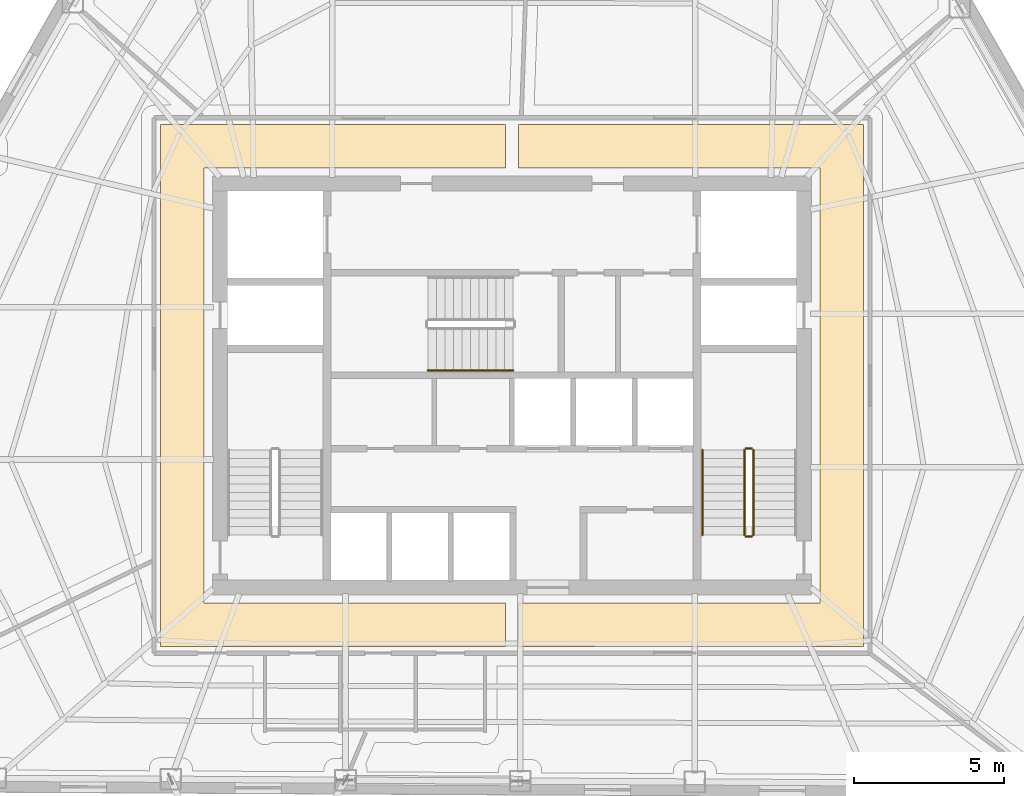
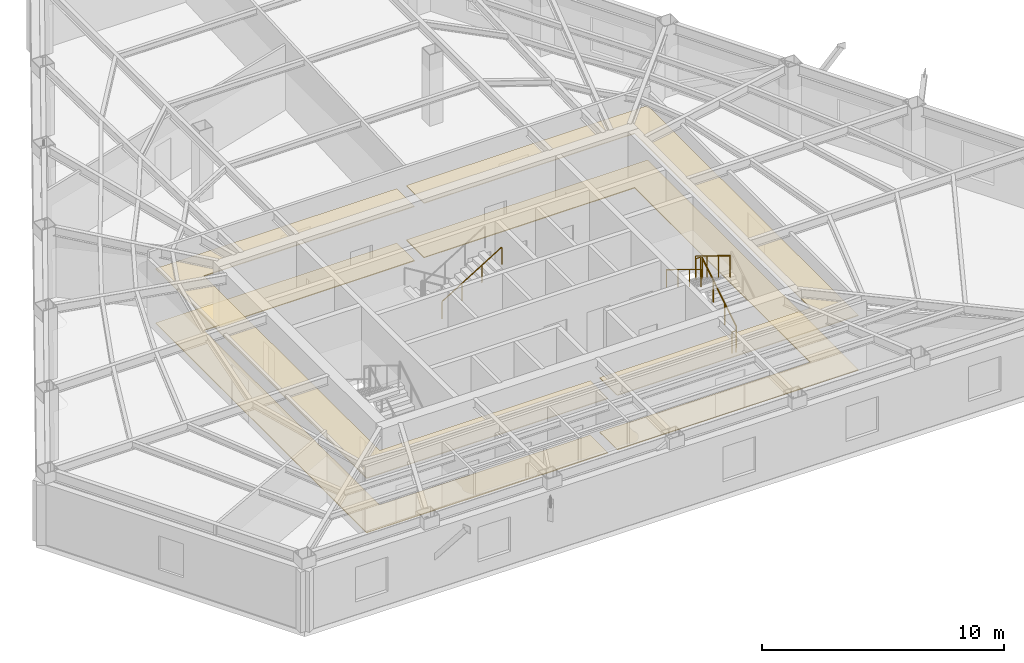
# One storey, part 11 of 13: 6 railings, 4 coverings.
"""IFC4 building model written with IfcOpenShell, lengths in metres."""

from ifc_helpers import new_model, si_unit, direction, frame, origin, origin_2d, place, context, subcontext, project, spatial, polyline, circle, outline, extrude, material, layer, layer_set, type_object, element, save


model = new_model("IFC4")

# Units and contexts
model_context = context("Model", 3, precision=1e-05, world=origin(), true_north=direction((0.0, 1.0)))
body_context = subcontext(model_context, "Body", "Model", "MODEL_VIEW")
ifc_project = project(units=[si_unit("LENGTHUNIT", "METRE"), si_unit("AREAUNIT", "SQUARE_METRE"), si_unit("VOLUMEUNIT", "CUBIC_METRE"), si_unit("PLANEANGLEUNIT", "RADIAN"), si_unit("MASSUNIT", "GRAM", prefix="KILO")], contexts=[model_context])

# Site, building, storey
site_placement = place(None, origin())
site = spatial("IfcSite", under=ifc_project, at=site_placement, CompositionType="ELEMENT")
building_placement = place(site_placement, origin())
building = spatial("IfcBuilding", under=site, at=building_placement, Name="Kavelnor Concourse Tower", CompositionType="ELEMENT")
storey_placement = place(building_placement, frame((0.0, 0.0, 108.60009765625)))
storey = spatial("IfcBuildingStorey", under=building, at=storey_placement, Name="L27", CompositionType="ELEMENT", Elevation=108.60009765625)

# Coverings
ifc_material_1 = material(Name="Mineral fibre acoustic ceiling tile")
ifc_layer_1 = layer(ifc_material_1, 0.0400390625, Name="Mineral fibre acoustic ceiling tile")
ifc_layer_set_1 = layer_set([ifc_layer_1], Name="Mineral fibre acoustic ceiling tile")
covering_type_1 = type_object("IfcCoveringType", Name="COV-CEILING-ACOUSTIC", PredefinedType="CEILING", material=ifc_layer_set_1)
covering_1_placement = place(storey_placement, frame((0.0, 0.0, 2.75)))
element("IfcCovering", 1, at=covering_1_placement, inside=storey, type_object=covering_type_1, Name="L27 Suspended Acoustic Ceiling", PredefinedType="CEILING", context=body_context, shape_type="SweptSolid", body=[
    extrude(outline(polyline([(26.25, 7.3701171875), (26.25, 24.830078125), (37.77490234375, 24.830078125), (37.77490234375, 23.3701171875), (27.7099609375, 23.3701171875), (27.7099609375, 8.830078125), (37.77490234375, 8.830078125), (37.77490234375, 7.3701171875), (26.25, 7.3701171875)])), origin(), (0.0, 0.0, 1.0), 0.039794921875),
])
covering_2_placement = place(storey_placement, frame((0.0, 0.0, 2.75)))
element("IfcCovering", 2, at=covering_2_placement, inside=storey, type_object=covering_type_1, Name="L27 Suspended Acoustic Ceiling", PredefinedType="CEILING", context=body_context, shape_type="SweptSolid", body=[
    extrude(outline(polyline([(49.75, 7.3701171875), (38.22509765625, 7.3701171875), (38.22509765625, 8.830078125), (48.2900390625, 8.830078125), (48.2900390625, 23.3701171875), (38.22509765625, 23.3701171875), (38.22509765625, 24.830078125), (49.75, 24.830078125), (49.75, 7.3701171875)])), origin(), (0.0, 0.0, 1.0), 0.039794921875),
])
ifc_material_2 = material(Name="Honed bluestone and raised access floor finish", Category="masonry")
ifc_layer_2 = layer(ifc_material_2, 0.0400390625, Name="Honed bluestone and raised access floor finish")
ifc_layer_set_2 = layer_set([ifc_layer_2], Name="Honed bluestone and raised access floor finish")
covering_type_2 = type_object("IfcCoveringType", Name="COV-FLOOR-STONE", PredefinedType="FLOORING", material=ifc_layer_set_2)
covering_3_placement = place(storey_placement, frame((0.0, 0.0, 0.001953125)))
element("IfcCovering", 3, at=covering_3_placement, inside=storey, type_object=covering_type_2, Name="L27 Honed Bluestone Floor Finish", PredefinedType="FLOORING", context=body_context, shape_type="SweptSolid", body=[
    extrude(outline(polyline([(26.25, 7.3701171875), (26.25, 24.830078125), (37.77490234375, 24.830078125), (37.77490234375, 23.3701171875), (27.7099609375, 23.3701171875), (27.7099609375, 8.830078125), (37.77490234375, 8.830078125), (37.77490234375, 7.3701171875), (26.25, 7.3701171875)])), origin(), (0.0, 0.0, 1.0), 0.0400390625),
])
covering_4_placement = place(storey_placement, frame((0.0, 0.0, 0.001953125)))
element("IfcCovering", 4, at=covering_4_placement, inside=storey, type_object=covering_type_2, Name="L27 Honed Bluestone Floor Finish", PredefinedType="FLOORING", context=body_context, shape_type="SweptSolid", body=[
    extrude(outline(polyline([(49.75, 7.3701171875), (38.22509765625, 7.3701171875), (38.22509765625, 8.830078125), (48.2900390625, 8.830078125), (48.2900390625, 23.3701171875), (38.22509765625, 23.3701171875), (38.22509765625, 24.830078125), (49.75, 24.830078125), (49.75, 7.3701171875)])), origin(), (0.0, 0.0, 1.0), 0.0400390625),
])

# Railings
ifc_material_3 = material(Name="Steel Grade 350", Category="steel")
railing_type_1 = type_object("IfcRailingType", Name="RLG-GUARD-1100", PredefinedType="GUARDRAIL", material=ifc_material_3)
railing_1_placement = place(storey_placement, frame((46.070068359375, 11.10009765625, 0.1748046875)))
element("IfcRailing", 5, at=railing_1_placement, inside=storey, type_object=railing_type_1, Name="L27 ST2 stair guard 1", PredefinedType="GUARDRAIL", context=body_context, shape_type="SweptSolid", body=[
    extrude(circle(Radius=0.02392578125, at=origin_2d()), frame((0.0, 0.0, 1.076171875), z_axis=(0.0, 0.852159232446, 0.523282564737), x_axis=(-1.0, 0.0, 0.0)), (0.0, 0.0, 1.0), 3.34423828125),
    extrude(circle(Radius=0.02099609375, at=origin_2d()), origin(), (0.0, 0.0, 1.0), 1.052001953125),
    extrude(circle(Radius=0.02099609375, at=origin_2d()), frame((0.0, 0.949951171875, 0.583251953125)), (0.0, 0.0, 1.0), 1.052001953125),
    extrude(circle(Radius=0.02099609375, at=origin_2d()), frame((0.0, 1.89990234375, 1.166748046875)), (0.0, 0.0, 1.0), 1.052001953125),
    extrude(circle(Radius=0.02099609375, at=origin_2d()), frame((0.0, 2.849853515625, 1.75)), (0.0, 0.0, 1.0), 1.052001953125),
])
railing_2_placement = place(storey_placement, frame((46.02001953125, 14.0, 1.9248046875)))
element("IfcRailing", 6, at=railing_2_placement, inside=storey, type_object=railing_type_1, Name="L27 ST2 stair guard 2", PredefinedType="GUARDRAIL", context=body_context, shape_type="SweptSolid", body=[
    extrude(circle(Radius=0.02392578125, at=origin_2d()), frame((0.0, 0.0, 1.076171875), z_axis=(-1.0, 0.0, 0.0), x_axis=(0.0, -1.0, 0.0)), (0.0, 0.0, 1.0), 0.199951171875),
    extrude(circle(Radius=0.02099609375, at=origin_2d()), origin(), (0.0, 0.0, 1.0), 1.052001953125),
    extrude(circle(Radius=0.02099609375, at=origin_2d()), frame((-0.199951171875, 0.0, 0.0)), (0.0, 0.0, 1.0), 1.052001953125),
])
railing_3_placement = place(storey_placement, frame((45.77001953125, 13.949951171875, 2.099853515625)))
element("IfcRailing", 7, at=railing_3_placement, inside=storey, type_object=railing_type_1, Name="L27 ST2 stair guard 3", PredefinedType="GUARDRAIL", context=body_context, shape_type="SweptSolid", body=[
    extrude(circle(Radius=0.02392578125, at=origin_2d()), frame((0.0, 0.0, 1.076171875), z_axis=(0.0, -0.852159232446, 0.523282564737), x_axis=(1.0, 0.0, 0.0)), (0.0, 0.0, 1.0), 3.34423828125),
    extrude(circle(Radius=0.02099609375, at=origin_2d()), origin(), (0.0, 0.0, 1.0), 1.052001953125),
    extrude(circle(Radius=0.02099609375, at=origin_2d()), frame((0.0, -0.949951171875, 0.583251953125)), (0.0, 0.0, 1.0), 1.052001953125),
    extrude(circle(Radius=0.02099609375, at=origin_2d()), frame((0.0, -1.89990234375, 1.166748046875)), (0.0, 0.0, 1.0), 1.052001953125),
    extrude(circle(Radius=0.02099609375, at=origin_2d()), frame((0.0, -2.849853515625, 1.75)), (0.0, 0.0, 1.0), 1.052001953125),
])
railing_4_placement = place(storey_placement, frame((46.02001953125, 11.050048828125, 0.0)))
element("IfcRailing", 8, at=railing_4_placement, inside=storey, type_object=railing_type_1, Name="L27 ST2 stair guard 4", PredefinedType="GUARDRAIL", context=body_context, shape_type="SweptSolid", body=[
    extrude(circle(Radius=0.02392578125, at=origin_2d()), frame((0.0, 0.0, 1.076171875), z_axis=(-1.0, 0.0, 0.0), x_axis=(0.0, -1.0, 0.0)), (0.0, 0.0, 1.0), 0.199951171875),
    extrude(circle(Radius=0.02099609375, at=origin_2d()), origin(), (0.0, 0.0, 1.0), 1.052001953125),
    extrude(circle(Radius=0.02099609375, at=origin_2d()), frame((-0.199951171875, 0.0, 0.0)), (0.0, 0.0, 1.0), 1.052001953125),
])
railing_type_2 = type_object("IfcRailingType", Name="RLG-HANDRAIL-900", PredefinedType="HANDRAIL", material=ifc_material_3)
railing_5_placement = place(storey_placement, frame((44.3701171875, 13.949951171875, 2.099853515625)))
element("IfcRailing", 9, at=railing_5_placement, inside=storey, type_object=railing_type_2, Name="L27 ST2 stair handrail 2", PredefinedType="HANDRAIL", context=body_context, shape_type="SweptSolid", body=[
    extrude(circle(Radius=0.02392578125, at=origin_2d()), frame((0.0, 0.0, 0.8759765625), z_axis=(0.0, -0.852159232446, 0.523282564737), x_axis=(1.0, 0.0, 0.0)), (0.0, 0.0, 1.0), 3.34423828125),
    extrude(circle(Radius=0.02099609375, at=origin_2d()), origin(), (0.0, 0.0, 1.0), 0.851806640625),
    extrude(circle(Radius=0.02099609375, at=origin_2d()), frame((0.0, -0.949951171875, 0.583251953125)), (0.0, 0.0, 1.0), 0.851806640625),
    extrude(circle(Radius=0.02099609375, at=origin_2d()), frame((0.0, -1.89990234375, 1.166748046875)), (0.0, 0.0, 1.0), 0.851806640625),
    extrude(circle(Radius=0.02099609375, at=origin_2d()), frame((0.0, -2.849853515625, 1.75)), (0.0, 0.0, 1.0), 0.851806640625),
])
railing_6_placement = place(storey_placement, frame((35.18994140625, 16.610107421875, 2.099853515625)))
element("IfcRailing", 10, at=railing_6_placement, inside=storey, type_object=railing_type_2, Name="L27 ST3 stair handrail 2", PredefinedType="HANDRAIL", context=body_context, shape_type="SweptSolid", body=[
    extrude(circle(Radius=0.02392578125, at=origin_2d()), frame((0.0, 0.0, 0.8759765625), z_axis=(0.852179220489, 0.0, 0.52325001306), x_axis=(0.0, 1.0, 0.0)), (0.0, 0.0, 1.0), 3.344482421875),
    extrude(circle(Radius=0.02099609375, at=origin_2d()), origin(), (0.0, 0.0, 1.0), 0.851806640625),
    extrude(circle(Radius=0.02099609375, at=origin_2d()), frame((0.949951171875, 0.0, 0.583251953125)), (0.0, 0.0, 1.0), 0.851806640625),
    extrude(circle(Radius=0.02099609375, at=origin_2d()), frame((1.900146484375, 0.0, 1.166748046875)), (0.0, 0.0, 1.0), 0.851806640625),
    extrude(circle(Radius=0.02099609375, at=origin_2d()), frame((2.85009765625, 0.0, 1.75)), (0.0, 0.0, 1.0), 0.851806640625),
])

save(model, "model.ifc")
